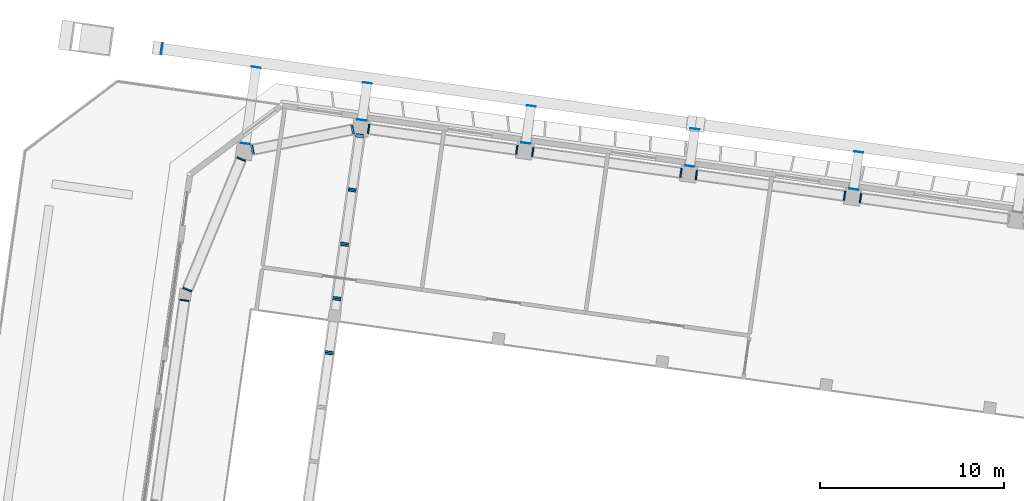
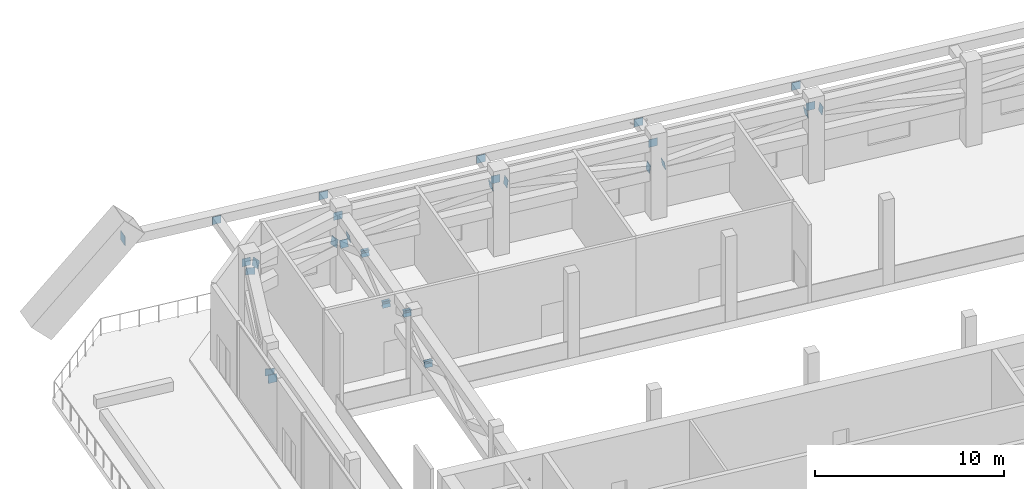
# One storey, part 31 of 41: 32 discrete accessories.
"""IFC4 building model written with IfcOpenShell, lengths in metres."""

import ifcopenshell
import ifcopenshell.guid

model = None  # the IFC model being written
_history = None  # IfcOwnerHistory: only IFC2X3 demands one
_inside = {}  # id of a spatial element -> (the spatial element, [elements in it])
_under = {}  # id of a project, library or spatial element -> (it, [spatial elements below it])
_declared = {}  # id of a project -> (the project, [libraries it declares])
_typed = {}  # id of a type object -> (the type object, [elements of that type])
_made_of = {}  # id of a material, layer set ... -> (it, [elements and type objects made of it])


def new_model(schema):
    """Start an empty IFC model of exactly this schema.

    Asked for "IFC4X3", IfcOpenShell would pick the latest addendum, in which some entities
    have other attributes; the version numbers below select the first issue.
    IFC2X3 requires an IfcOwnerHistory on every rooted entity: one is made here for all.
    """
    global model, _history
    if schema == "IFC4X3":
        model = ifcopenshell.file(schema_version=(4, 3, 0, 0))
    else:
        model = ifcopenshell.file(schema=schema)
    _inside.clear()
    _under.clear()
    _declared.clear()
    _typed.clear()
    _made_of.clear()
    _history = None
    if model.schema == "IFC2X3":
        org = make("IfcOrganization", Name="unknown")
        user = make(
            "IfcPersonAndOrganization",
            ThePerson=make("IfcPerson", FamilyName="unknown"),
            TheOrganization=org,
        )
        app = make(
            "IfcApplication",
            ApplicationDeveloper=org,
            Version="unknown",
            ApplicationFullName="unknown",
            ApplicationIdentifier="unknown",
        )
        _history = make(
            "IfcOwnerHistory",
            OwningUser=user,
            OwningApplication=app,
            ChangeAction="ADDED",
            CreationDate=0,
        )
    return model


def make(cls, **values):
    """One entity of the class cls with the attributes given. An attribute that is None is left unset."""
    return model.create_entity(
        cls, **{name: value for name, value in values.items() if value is not None}
    )


def rooted(cls, **values):
    """An entity with a GlobalId (a new one), such as an element, a storey or a relation."""
    return make(cls, GlobalId=ifcopenshell.guid.new(), OwnerHistory=_history, **values)


def si_unit(unit_type, name, prefix=None):
    """IfcSIUnit, for example si_unit("LENGTHUNIT", "METRE", prefix="MILLI")."""
    return make("IfcSIUnit", UnitType=unit_type, Prefix=prefix, Name=name)


def assignment(units):
    """IfcUnitAssignment: the units of a project."""
    return None if units is None else make("IfcUnitAssignment", Units=units)


def point(xyz):
    """IfcCartesianPoint."""
    return None if xyz is None else make("IfcCartesianPoint", Coordinates=xyz)


def direction(xyz):
    """IfcDirection."""
    return None if xyz is None else make("IfcDirection", DirectionRatios=xyz)


def frame(location, z_axis=None, x_axis=None):
    """IfcAxis2Placement3D, a coordinate frame: its origin and axes. An axis left out is left unset."""
    return make(
        "IfcAxis2Placement3D",
        Location=point(location),
        Axis=direction(z_axis),
        RefDirection=direction(x_axis),
    )


def frame_2d(location, x_axis=None):
    """IfcAxis2Placement2D, a coordinate frame in the plane: its origin and x axis."""
    return make(
        "IfcAxis2Placement2D", Location=point(location), RefDirection=direction(x_axis)
    )


def origin():
    """The frame at (0, 0, 0) with its axes left unset."""
    return frame((0.0, 0.0, 0.0))


def origin_2d():
    """The frame at (0, 0) in the plane with its x axis left unset."""
    return frame_2d((0.0, 0.0))


def place(relative_to, where):
    """IfcLocalPlacement: puts the frame where relative to a parent placement (None: the world)."""
    return make(
        "IfcLocalPlacement", PlacementRelTo=relative_to, RelativePlacement=where
    )


def context(
    kind, dimensions, precision=None, world=None, true_north=None, identifier=None
):
    """IfcGeometricRepresentationContext, for example the 3D "Model" context."""
    return make(
        "IfcGeometricRepresentationContext",
        ContextIdentifier=identifier,
        ContextType=kind,
        CoordinateSpaceDimension=dimensions,
        Precision=precision,
        WorldCoordinateSystem=world,
        TrueNorth=true_north,
    )


def subcontext(parent, identifier, kind, view, scale=None):
    """IfcGeometricRepresentationSubContext, for example "Body" below "Model"."""
    return make(
        "IfcGeometricRepresentationSubContext",
        ContextIdentifier=identifier,
        ContextType=kind,
        ParentContext=parent,
        TargetScale=scale,
        TargetView=view,
    )


def project(units=None, contexts=None):
    """IfcProject with its units and contexts."""
    return rooted(
        "IfcProject",
        Name="project",
        RepresentationContexts=contexts,
        UnitsInContext=assignment(units),
    )


def spatial(cls, under=None, at=None, **own):
    """A site, building, storey or space (cls), placed at a placement, below another one or the project."""
    s = rooted(cls, ObjectPlacement=at, **own)
    if under is not None:
        _under.setdefault(under.id(), (under, []))[1].append(s)
    return s


def profile(cls, at=None, kind="AREA", **sizes):
    """A parametric profile (cls). Its sizes go by their IFC names, for example OverallWidth=200.0."""
    return make(cls, ProfileType=kind, Position=at, **sizes)


def rectangle(**sizes):
    """IfcRectangleProfileDef."""
    return profile("IfcRectangleProfileDef", **sizes)


def extrude(swept, where, along, depth):
    """IfcExtrudedAreaSolid: the profile swept, set in the frame where, extruded along a direction by depth."""
    return make(
        "IfcExtrudedAreaSolid",
        SweptArea=swept,
        Position=where,
        ExtrudedDirection=direction(along),
        Depth=depth,
    )


def shape(context_of_items, identifier, shape_type, items):
    """IfcShapeRepresentation: the items that make up one representation, for example the "Body"."""
    return make(
        "IfcShapeRepresentation",
        ContextOfItems=context_of_items,
        RepresentationIdentifier=identifier,
        RepresentationType=shape_type,
        Items=items,
    )


def material(Name=None, Category=None):
    """IfcMaterial."""
    return make("IfcMaterial", Name=Name, Category=Category)


def material_profile(
    of_material, cross_section, Name=None, Category=None, Priority=None
):
    """IfcMaterialProfile: a cross section and its material."""
    return make(
        "IfcMaterialProfile",
        Name=Name,
        Material=of_material,
        Profile=cross_section,
        Priority=Priority,
        Category=Category,
    )


def profile_set(profiles, Name=None, composite=None):
    """IfcMaterialProfileSet."""
    return make(
        "IfcMaterialProfileSet",
        Name=Name,
        MaterialProfiles=profiles,
        CompositeProfile=composite,
    )


def made_of(thing, what):
    """Note that an element or type object is made of a material, layer set ...; save() writes the relation."""
    if what is not None:
        _made_of.setdefault(what.id(), (what, []))[1].append(thing)
    return thing


def type_object(cls, material=None, **own):
    """A type object (cls), such as IfcWallType, which elements share."""
    return made_of(rooted(cls, **own), material)


def element(
    cls,
    number,
    at=None,
    inside=None,
    cuts=None,
    type_object=None,
    material=None,
    context=None,
    identifier="Body",
    shape_type=None,
    held_by="IfcProductDefinitionShape",
    body=None,
    shapes=None,
    **own,
):
    """One element of the class cls, such as IfcWall. Its Tag is "e" and its number.

    at: its placement. inside: the storey or other place that contains it. cuts: it is an
    opening in that element (IfcRelVoidsElement). A single representation is given by context,
    identifier, shape_type and body (its items); several are given by shapes. held_by: the class
    of the entity that holds the representations. save() writes the other relations.
    """
    e = rooted(cls, Tag="e%d" % number, ObjectPlacement=at, **own)
    if body is not None:
        shapes = [shape(context, identifier, shape_type, body)]
    if shapes is not None:
        e.Representation = make(held_by, Representations=shapes)
    if inside is not None:
        _inside.setdefault(inside.id(), (inside, []))[1].append(e)
    if cuts is not None:
        rooted(
            "IfcRelVoidsElement", RelatingBuildingElement=cuts, RelatedOpeningElement=e
        )
    if type_object is not None:
        _typed.setdefault(type_object.id(), (type_object, []))[1].append(e)
    return made_of(e, material)


def aggregate(whole, parts):
    """IfcRelAggregates: a whole, such as a stair, and the parts it consists of."""
    return rooted("IfcRelAggregates", RelatingObject=whole, RelatedObjects=parts)


def save(model, path):
    """Write the relations noted so far, then the file.

    IfcRelAggregates (storeys below a building ...), IfcRelContainedInSpatialStructure (elements
    in a storey), IfcRelDefinesByType, IfcRelAssociatesMaterial and IfcRelDeclares: one each for
    every whole, place, type object, material and project.
    """
    for whole, parts in _under.values():
        aggregate(whole, parts)
    for where, things in _inside.values():
        rooted(
            "IfcRelContainedInSpatialStructure",
            RelatedElements=things,
            RelatingStructure=where,
        )
    for kind, things in _typed.values():
        rooted("IfcRelDefinesByType", RelatedObjects=things, RelatingType=kind)
    for what, things in _made_of.values():
        rooted("IfcRelAssociatesMaterial", RelatedObjects=things, RelatingMaterial=what)
    for by, libraries in _declared.values():
        rooted("IfcRelDeclares", RelatingContext=by, RelatedDefinitions=libraries)
    model.write(path)


model = new_model("IFC4")

# Units and contexts
model_context = context("Model", 3, precision=1e-05, world=origin(), true_north=direction((0.0, 1.0)))
body_context = subcontext(model_context, "Body", "Model", "MODEL_VIEW")
ifc_project = project(units=[si_unit("LENGTHUNIT", "METRE"), si_unit("AREAUNIT", "SQUARE_METRE"), si_unit("VOLUMEUNIT", "CUBIC_METRE"), si_unit("PLANEANGLEUNIT", "RADIAN"), si_unit("MASSUNIT", "GRAM", prefix="KILO")], contexts=[model_context])

# Site, building, storey
site_placement = place(None, origin())
site = spatial("IfcSite", under=ifc_project, at=site_placement, CompositionType="ELEMENT")
building_placement = place(site_placement, origin())
building = spatial("IfcBuilding", under=site, at=building_placement, Name="Mirante Cascada Hotel Towers", CompositionType="ELEMENT")
storey_placement = place(building_placement, frame((0.0, 0.0, 151.9)))
storey = spatial("IfcBuildingStorey", under=building, at=storey_placement, Name="L35", CompositionType="ELEMENT", Elevation=151.9)

# Discrete accessories
ifc_material_1 = material(Name="Steel ASTM A572 Gr 50", Category="steel")
ifc_material_profile_1 = material_profile(ifc_material_1, rectangle(XDim=0.45, YDim=0.45, at=origin_2d()), Name="Connection plate 450x450x25 ASTM A572 Gr 50")
ifc_profile_set_1 = profile_set([ifc_material_profile_1], Name="Steel ASTM A572 Gr 50")
discrete_accessory_type_1 = type_object("IfcDiscreteAccessoryType", Name="Connection plate 450x450x25 ASTM A572 Gr 50", PredefinedType="BRACKET", material=ifc_profile_set_1)
for number, where, z_axis, x_axis, name in (
    (1, (-82.6556, 11.3417, 3.1052), (0.1236513, 0.9014579, -0.4148302), (-0.9907232, 0.1358957, 0.0), "Connection plate OR356D"),
    (2, (-82.6556, 11.3417, 3.0948), (0.1236513, 0.9014579, 0.4148302), (-0.9907232, 0.1358957, 0.0), "Connection plate OR356D"),
    (3, (-82.2407, 14.2939, 4.4448), (0.1236513, 0.9014579, 0.4148302), (-0.9907232, 0.1358957, 0.0), "Connection plate OR356D"),
    (4, (-82.2407, 14.2939, 4.4552), (0.1236513, 0.9014579, -0.4148302), (-0.9907232, 0.1358957, 0.0), "Connection plate OR356D"),
):
    element("IfcDiscreteAccessory", number, at=place(storey_placement, frame(where, z_axis=z_axis, x_axis=x_axis)), inside=storey, type_object=discrete_accessory_type_1, Name=name, PredefinedType="BRACKET", context=body_context, shape_type="SweptSolid", body=[
        extrude(rectangle(XDim=0.45, YDim=0.45, at=origin_2d()), origin(), (0.0, 0.0, 1.0), 0.0251),
    ])
for number, where, z_axis, x_axis, name in (
    (5, (-81.8258, 17.2462, 3.1052), (0.1280359, 0.9002521, -0.4161165), (-0.9900373, 0.1408053, 0.0), "Connection plate OR356D"),
    (6, (-81.8258, 17.2462, 3.0948), (0.1280359, 0.9002521, 0.4161165), (-0.9900373, 0.1408053, 0.0), "Connection plate OR356D"),
):
    element("IfcDiscreteAccessory", number, at=place(storey_placement, frame(where, z_axis=z_axis, x_axis=x_axis)), inside=storey, type_object=discrete_accessory_type_1, Name=name, PredefinedType="BRACKET", context=body_context, shape_type="SweptSolid", body=[
        extrude(rectangle(XDim=0.45, YDim=0.45, at=origin_2d()), origin(), (0.0, 0.0, 1.0), 0.025),
    ])
for number, where, z_axis, x_axis, name in (
    (7, (-81.4109, 20.1984, 4.4448), (0.1275761, 0.9010064, 0.4146224), (-0.990124, 0.1401945, 0.0), "Connection plate OR356D"),
    (8, (-81.4109, 20.1984, 4.4552), (0.1275761, 0.9010064, -0.4146224), (-0.990124, 0.1401945, 0.0), "Connection plate OR356D"),
    (9, (-80.996, 23.1506, 3.1052), (0.1275761, 0.9010064, -0.4146224), (-0.990124, 0.1401945, 0.0), "Connection plate OR356D"),
):
    element("IfcDiscreteAccessory", number, at=place(storey_placement, frame(where, z_axis=z_axis, x_axis=x_axis)), inside=storey, type_object=discrete_accessory_type_1, Name=name, PredefinedType="BRACKET", context=body_context, shape_type="SweptSolid", body=[
        extrude(rectangle(XDim=0.45, YDim=0.45, at=origin_2d()), origin(), (0.0, 0.0, 1.0), 0.0251),
    ])
ifc_material_2 = material(Name="Steel ASTM A572 Gr 50", Category="steel")
ifc_material_profile_2 = material_profile(ifc_material_2, rectangle(XDim=0.5, YDim=0.5, at=origin_2d()), Name="Connection plate 500x500x25 ASTM A572 Gr 50")
ifc_profile_set_2 = profile_set([ifc_material_profile_2], Name="Steel ASTM A572 Gr 50")
discrete_accessory_type_2 = type_object("IfcDiscreteAccessoryType", Name="Connection plate 500x500x25 ASTM A572 Gr 50", PredefinedType="BRACKET", material=ifc_profile_set_2)
for number, where, z_axis, x_axis, name in (
    (10, (-53.7593, 19.7685, 4.3482), (-0.9801804, 0.136025, 0.1440265), (-0.1374582, -0.9905076, 0.0), "Connection plate BT35D"),
    (11, (-54.6109, 19.8882, 4.3518), (-0.9801804, 0.136025, -0.1440265), (-0.1374582, -0.9905076, 0.0), "Connection plate BT35D"),
    (12, (-62.6717, 21.0211, 3.1518), (-0.9801804, 0.136025, -0.1440265), (-0.1374582, -0.9905076, 0.0), "Connection plate BT35D"),
    (13, (-63.5233, 21.1407, 3.1482), (-0.9796396, 0.1399485, 0.143947), (-0.1414214, -0.9899495, 0.0), "Connection plate BT35D"),
    (14, (-71.5841, 22.2736, 4.3482), (-0.9796396, 0.1399485, 0.143947), (-0.1414214, -0.9899495, 0.0), "Connection plate BT35D"),
    (15, (-72.4357, 22.3933, 4.3518), (-0.9801804, 0.136025, -0.1440265), (-0.1374582, -0.9905076, 0.0), "Connection plate BT35D"),
    (16, (-80.4965, 23.5262, 3.1518), (-0.9801804, 0.136025, -0.1440265), (-0.1374582, -0.9905076, 0.0), "Connection plate BT35D"),
):
    element("IfcDiscreteAccessory", number, at=place(storey_placement, frame(where, z_axis=z_axis, x_axis=x_axis)), inside=storey, type_object=discrete_accessory_type_2, Name=name, PredefinedType="BRACKET", context=body_context, shape_type="SweptSolid", body=[
        extrude(rectangle(XDim=0.5, YDim=0.5, at=origin_2d()), origin(), (0.0, 0.0, 1.0), 0.025),
    ])
for number, where, z_axis, x_axis, name in (
    (17, (-81.3707, 23.4997, 3.1474), (-0.9581025, -0.196431, 0.2084574), (0.2008433, -0.9796234, 0.0), "Connection plate BT35D"),
    (18, (-86.8144, 22.4005, 4.3474), (-0.9588501, -0.1925724, 0.2086201), (0.196905, -0.9804226, 0.0), "Connection plate BT35D"),
):
    element("IfcDiscreteAccessory", number, at=place(storey_placement, frame(where, z_axis=z_axis, x_axis=x_axis)), inside=storey, type_object=discrete_accessory_type_2, Name=name, PredefinedType="BRACKET", context=body_context, shape_type="SweptSolid", body=[
        extrude(rectangle(XDim=0.5, YDim=0.5, at=origin_2d()), origin(), (0.0, 0.0, 1.0), 0.0249),
    ])
for number, where, z_axis, x_axis, name in (
    (19, (-87.4392, 21.908, 4.3519), (-0.3767119, -0.9137267, -0.1522878), (0.9245101, -0.3811577, 0.0), "Connection plate BT35D"),
    (20, (-90.3667, 14.8076, 3.1519), (-0.380143, -0.9123431, -0.1520572), (0.9230769, -0.3846154, 0.0), "Connection plate BT35D"),
    (21, (-90.5324, 14.2147, 3.1486), (-0.139972, -0.9838033, 0.1119776), (0.9900298, -0.1408579, 0.0), "Connection plate BT35D"),
    (22, (-54.1392, 20.2435, 4.35), (0.1397442, 0.9901876, 0.0), (-0.9901876, 0.1397442, 0.0), "Connection plate TIE"),
    (23, (-53.8553, 22.2636, 4.35), (0.1397442, 0.9901876, 0.0), (-0.9901876, 0.1397442, 0.0), "Connection plate TIE"),
):
    element("IfcDiscreteAccessory", number, at=place(storey_placement, frame(where, z_axis=z_axis, x_axis=x_axis)), inside=storey, type_object=discrete_accessory_type_2, Name=name, PredefinedType="BRACKET", context=body_context, shape_type="SweptSolid", body=[
        extrude(rectangle(XDim=0.5, YDim=0.5, at=origin_2d()), origin(), (0.0, 0.0, 1.0), 0.025),
    ])
discrete_accessory_1_placement = place(storey_placement, frame((-63.0516, 21.4961, 4.35), z_axis=(0.136366, 0.9906585, 0.0), x_axis=(-0.9906585, 0.136366, 0.0)))
element("IfcDiscreteAccessory", 24, at=discrete_accessory_1_placement, inside=storey, type_object=discrete_accessory_type_2, Name="Connection plate TIE", PredefinedType="BRACKET", context=body_context, shape_type="SweptSolid", body=[
    extrude(rectangle(XDim=0.5, YDim=0.5, at=origin_2d()), origin(), (0.0, 0.0, 1.0), 0.0249),
])
for number, where, z_axis, x_axis, name in (
    (25, (-62.7677, 23.5162, 4.35), (0.1397442, 0.9901876, 0.0), (-0.9901876, 0.1397442, 0.0), "Connection plate TIE"),
    (26, (-71.964, 22.7486, 4.35), (0.1358263, 0.9907327, 0.0), (-0.9907327, 0.1358263, 0.0), "Connection plate TIE"),
):
    element("IfcDiscreteAccessory", number, at=place(storey_placement, frame(where, z_axis=z_axis, x_axis=x_axis)), inside=storey, type_object=discrete_accessory_type_2, Name=name, PredefinedType="BRACKET", context=body_context, shape_type="SweptSolid", body=[
        extrude(rectangle(XDim=0.5, YDim=0.5, at=origin_2d()), origin(), (0.0, 0.0, 1.0), 0.025),
    ])
for number, where, z_axis, x_axis, name in (
    (27, (-71.6801, 24.7688, 4.35), (0.136366, 0.9906585, 0.0), (-0.9906585, 0.136366, 0.0), "Connection plate TIE"),
    (28, (-80.8765, 24.0012, 4.35), (0.1402989, 0.9901092, 0.0), (-0.9901092, 0.1402989, 0.0), "Connection plate TIE"),
):
    element("IfcDiscreteAccessory", number, at=place(storey_placement, frame(where, z_axis=z_axis, x_axis=x_axis)), inside=storey, type_object=discrete_accessory_type_2, Name=name, PredefinedType="BRACKET", context=body_context, shape_type="SweptSolid", body=[
        extrude(rectangle(XDim=0.5, YDim=0.5, at=origin_2d()), origin(), (0.0, 0.0, 1.0), 0.0249),
    ])
discrete_accessory_2_placement = place(storey_placement, frame((-80.5925, 26.0213, 4.35), z_axis=(0.1358263, 0.9907327, 0.0), x_axis=(-0.9907327, 0.1358263, 0.0)))
element("IfcDiscreteAccessory", 29, at=discrete_accessory_2_placement, inside=storey, type_object=discrete_accessory_type_2, Name="Connection plate TIE", PredefinedType="BRACKET", context=body_context, shape_type="SweptSolid", body=[
    extrude(rectangle(XDim=0.5, YDim=0.5, at=origin_2d()), origin(), (0.0, 0.0, 1.0), 0.025),
])
for number, where, z_axis, x_axis, name in (
    (30, (-87.2163, 22.7211, 4.35), (0.1402989, 0.9901092, 0.0), (-0.9901092, 0.1402989, 0.0), "Connection plate TIE"),
    (31, (-86.6332, 26.8703, 4.35), (0.1402989, 0.9901092, 0.0), (-0.9901092, 0.1402989, 0.0), "Connection plate TIE"),
):
    element("IfcDiscreteAccessory", number, at=place(storey_placement, frame(where, z_axis=z_axis, x_axis=x_axis)), inside=storey, type_object=discrete_accessory_type_2, Name=name, PredefinedType="BRACKET", context=body_context, shape_type="SweptSolid", body=[
        extrude(rectangle(XDim=0.5, YDim=0.5, at=origin_2d()), origin(), (0.0, 0.0, 1.0), 0.0249),
    ])
ifc_material_3 = material(Name="Steel ASTM A572 Gr 50", Category="steel")
ifc_material_profile_3 = material_profile(ifc_material_3, rectangle(XDim=0.6, YDim=0.6, at=origin_2d()), Name="Connection plate 600x600x25 ASTM A572 Gr 50")
ifc_profile_set_3 = profile_set([ifc_material_profile_3], Name="Steel ASTM A572 Gr 50")
discrete_accessory_type_3 = type_object("IfcDiscreteAccessoryType", Name="Connection plate 600x600x25 ASTM A572 Gr 50", PredefinedType="BRACKET", material=ifc_profile_set_3)
discrete_accessory_3_placement = place(storey_placement, frame((-91.7621, 27.8865, 4.35), z_axis=(-0.9901092, 0.1402989, 0.0), x_axis=(-0.1402989, -0.9901092, 0.0)))
element("IfcDiscreteAccessory", 32, at=discrete_accessory_3_placement, inside=storey, type_object=discrete_accessory_type_3, Name="Connection plate NCH", PredefinedType="BRACKET", context=body_context, shape_type="SweptSolid", body=[
    extrude(rectangle(XDim=0.6, YDim=0.6, at=origin_2d()), origin(), (0.0, 0.0, 1.0), 0.0249),
])

save(model, "model.ifc")
